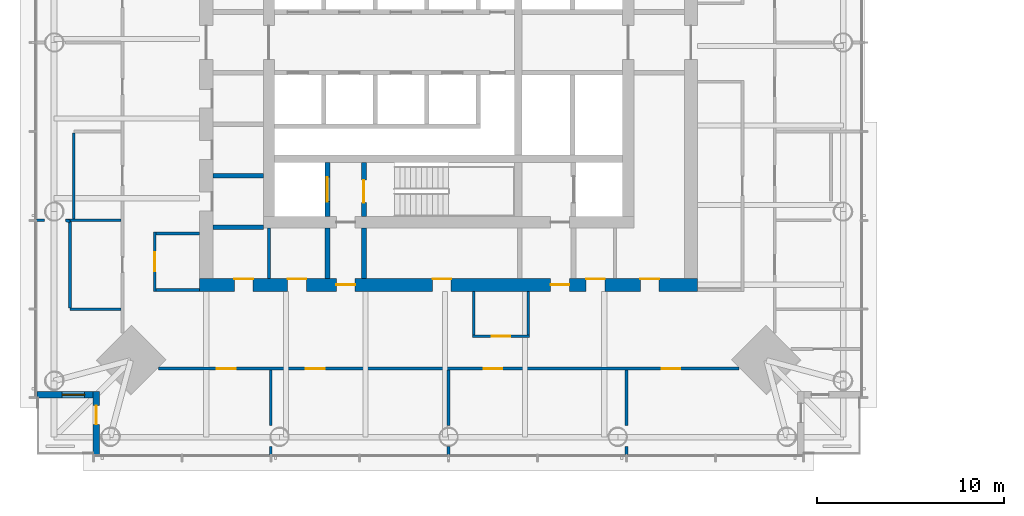
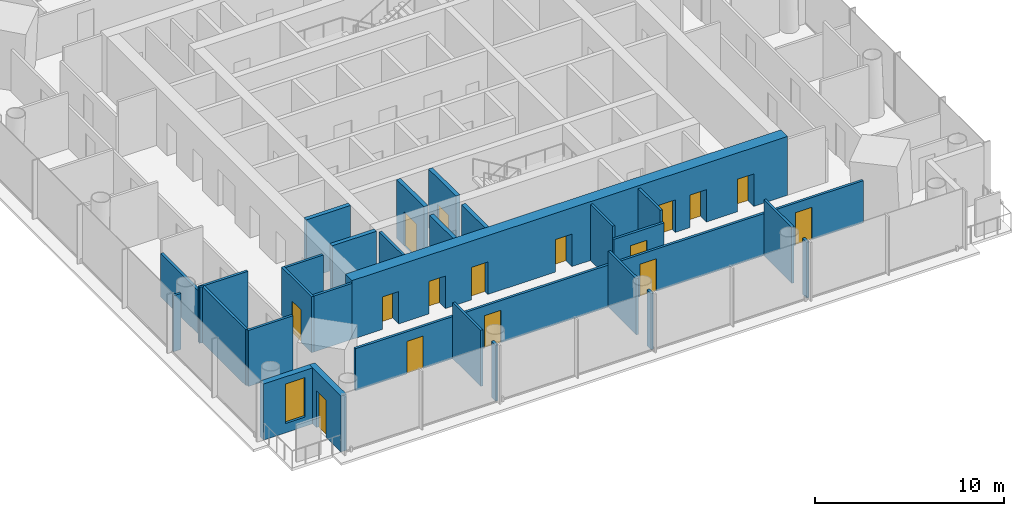
# One storey, part 8 of 27: 29 walls, 16 doors, 1 window, 17 openings.
"""IFC4 building model written with IfcOpenShell, lengths in metres."""

from ifc_helpers import new_model, si_unit, direction, frame, frame_2d, origin, place, context, subcontext, project, spatial, rectangle, extrude, material, layer, layer_set, type_object, element, fill, save


model = new_model("IFC4")

# Units and contexts
model_context = context("Model", 3, precision=1e-05, world=origin(), true_north=direction((0.0, 1.0)))
body_context = subcontext(model_context, "Body", "Model", "MODEL_VIEW")
ifc_project = project(units=[si_unit("LENGTHUNIT", "METRE"), si_unit("AREAUNIT", "SQUARE_METRE"), si_unit("VOLUMEUNIT", "CUBIC_METRE"), si_unit("PLANEANGLEUNIT", "RADIAN"), si_unit("MASSUNIT", "GRAM", prefix="KILO")], contexts=[model_context])

# Site, building, storey
site_placement = place(None, origin())
site = spatial("IfcSite", under=ifc_project, at=site_placement, CompositionType="ELEMENT")
building_placement = place(site_placement, origin())
building = spatial("IfcBuilding", under=site, at=building_placement, Name="Ostroluk Exchange", CompositionType="ELEMENT")
storey_placement = place(building_placement, frame((0.0, 0.0, 112.199951171875)))
storey = spatial("IfcBuildingStorey", under=building, at=storey_placement, Name="L28", CompositionType="ELEMENT", Elevation=112.199951171875)

# Walls
ifc_material_1 = material(Name="Concrete blockwork", Category="masonry")
ifc_layer_1 = layer(ifc_material_1, 0.14990234375)
ifc_layer_set_1 = layer_set([ifc_layer_1], Name="Blockwork plant room wall 150")
wall_type_1 = type_object("IfcWallType", Name="Blockwork plant room wall 150", PredefinedType="SOLIDWALL", material=ifc_layer_set_1)
wall_1_placement = place(storey_placement, frame((35.39990234375, 33.39990234375, 0.0), z_axis=(0.0, 0.0, 1.0), x_axis=(0.0, 1.0, 0.0)))
element("IfcWall", 1, at=wall_1_placement, inside=storey, type_object=wall_type_1, Name="Core room wall", PredefinedType="SOLIDWALL", context=body_context, shape_type="SweptSolid", body=[
    extrude(rectangle(XDim=2.7001953125, YDim=0.14990234375, at=frame_2d((1.35009765625, 0.0))), origin(), (0.0, 0.0, 1.0), 3.6201171875),
])
ifc_material_2 = material(Name="Concrete blockwork", Category="masonry")
ifc_layer_2 = layer(ifc_material_2, 0.25)
ifc_layer_set_2 = layer_set([ifc_layer_2], Name="Blockwork stair enclosure wall 250")
wall_type_2 = type_object("IfcWallType", Name="Blockwork stair enclosure wall 250", PredefinedType="SOLIDWALL", material=ifc_layer_set_2)
for number, where, z_axis, x_axis, name in (
    (2, (38.52490234375, 33.39990234375, 0.0), (0.0, 0.0, 1.0), (0.0, 1.0, 0.0), "Fire lobby enclosure wall"),
    (3, (40.47509765625, 33.39990234375, 0.0), (0.0, 0.0, 1.0), (0.0, 1.0, 0.0), "Fire lobby enclosure wall"),
):
    element("IfcWall", number, at=place(storey_placement, frame(where, z_axis=z_axis, x_axis=x_axis)), inside=storey, type_object=wall_type_2, Name=name, PredefinedType="SOLIDWALL", context=body_context, shape_type="SweptSolid", body=[
        extrude(rectangle(XDim=2.7001953125, YDim=0.25, at=frame_2d((1.35009765625, 0.0))), origin(), (0.0, 0.0, 1.0), 3.6201171875),
    ])

# Wall, opening, door
ifc_material_3 = material(Name="Concrete C40/50", Category="concrete")
ifc_layer_3 = layer(ifc_material_3, 0.25)
ifc_layer_set_3 = layer_set([ifc_layer_3], Name="Core shaft wall 250")
wall_type_3 = type_object("IfcWallType", Name="Core shaft wall 250", PredefinedType="SHEAR", material=ifc_layer_set_3)
wall_2_placement = place(storey_placement, frame((38.52490234375, 36.699951171875, 0.0), z_axis=(0.0, 0.0, 1.0), x_axis=(0.0, 1.0, 0.0)))
wall_2 = element("IfcWall", 4, at=wall_2_placement, inside=storey, type_object=wall_type_3, Name="Firefighting lift shaft wall", PredefinedType="SHEAR", context=body_context, shape_type="SweptSolid", body=[
    extrude(rectangle(XDim=2.900146484375, YDim=0.25, at=frame_2d((1.4501953125, 0.0))), origin(), (0.0, 0.0, 1.0), 3.800048828125),
])
opening_1_placement = place(wall_2_placement, frame((0.800048828125, 0.0, 0.0)))
opening_1 = element("IfcOpeningElement", 5, at=opening_1_placement, cuts=wall_2, Name="Opening LD2", PredefinedType="OPENING", context=body_context, shape_type="SweptSolid", body=[
    extrude(rectangle(XDim=1.300048828125, YDim=2.199951171875, at=frame_2d((0.64990234375, 1.10009765625))), frame((0.0, 0.135009765625, 0.0), z_axis=(0.0, -1.0, 0.0), x_axis=(1.0, 0.0, 0.0)), (0.0, 0.0, 1.0), 0.27001953125),
])
ifc_material_4 = material(Name="Stainless steel", Category="steel")
door_type_1 = type_object("IfcDoorType", Name="Lift landing door E 60 1300 x 2200", OperationType="DOUBLE_DOOR_SLIDING", PredefinedType="DOOR", material=ifc_material_4)
door_1_placement = place(opening_1_placement, origin())
door_1 = element("IfcDoor", 6, at=door_1_placement, inside=storey, type_object=door_type_1, Name="Lift FL1 landing door", OperationType="DOUBLE_DOOR_SLIDING", OverallHeight=2.199951171875, OverallWidth=1.300048828125, PredefinedType="DOOR", context=body_context, shape_type="SweptSolid", body=[
    extrude(rectangle(XDim=1.300048828125, YDim=2.199951171875, at=frame_2d((0.64990234375, 1.10009765625))), frame((0.0, 0.02490234375, 0.0), z_axis=(0.0, -1.0, 0.0), x_axis=(1.0, 0.0, 0.0)), (0.0, 0.0, 1.0), 0.050048828125),
])
fill(opening_1, door_1)

wall_3_placement = place(storey_placement, frame((40.47509765625, 36.699951171875, 0.0), z_axis=(0.0, 0.0, 1.0), x_axis=(0.0, 1.0, 0.0)))
wall_3 = element("IfcWall", 7, at=wall_3_placement, inside=storey, type_object=wall_type_3, Name="Stair shaft wall", PredefinedType="SHEAR", context=body_context, shape_type="SweptSolid", body=[
    extrude(rectangle(XDim=2.900146484375, YDim=0.25, at=frame_2d((1.4501953125, 0.0))), origin(), (0.0, 0.0, 1.0), 3.800048828125),
])
opening_2_placement = place(wall_3_placement, frame((0.75, 0.0, 0.0)))
opening_2 = element("IfcOpeningElement", 8, at=opening_2_placement, cuts=wall_3, Name="Opening FD60S", PredefinedType="OPENING", context=body_context, shape_type="SweptSolid", body=[
    extrude(rectangle(XDim=1.199951171875, YDim=2.10009765625, at=frame_2d((0.60009765625, 1.050048828125))), frame((0.0, 0.135009765625, 0.0), z_axis=(0.0, -1.0, 0.0), x_axis=(1.0, 0.0, 0.0)), (0.0, 0.0, 1.0), 0.27001953125),
])
ifc_material_5 = material(Name="Steel", Category="steel")
door_type_2 = type_object("IfcDoorType", Name="Stair door EI 60 1200 x 2100", OperationType="SINGLE_SWING_LEFT", PredefinedType="DOOR", material=ifc_material_5)
door_2_placement = place(opening_2_placement, origin())
door_2 = element("IfcDoor", 9, at=door_2_placement, inside=storey, type_object=door_type_2, Name="Stair T1-S1 door", OperationType="SINGLE_SWING_LEFT", OverallHeight=2.10009765625, OverallWidth=1.199951171875, PredefinedType="DOOR", context=body_context, shape_type="SweptSolid", body=[
    extrude(rectangle(XDim=1.199951171875, YDim=2.10009765625, at=frame_2d((0.60009765625, 1.050048828125))), frame((0.0, 0.02490234375, 0.0), z_axis=(0.0, -1.0, 0.0), x_axis=(1.0, 0.0, 0.0)), (0.0, 0.0, 1.0), 0.050048828125),
])
fill(opening_2, door_2)

# Walls
for number, where, z_axis, x_axis, name in (
    (10, (32.39990234375, 36.125, 0.0), (0.0, 0.0, 1.0), (1.0, 0.0, 0.0), "Lift shaft wall"),
    (11, (32.39990234375, 38.875, 0.0), (0.0, 0.0, 1.0), (1.0, 0.0, 0.0), "Lift shaft wall"),
):
    element("IfcWall", number, at=place(storey_placement, frame(where, z_axis=z_axis, x_axis=x_axis)), inside=storey, type_object=wall_type_3, Name=name, PredefinedType="SHEAR", context=body_context, shape_type="SweptSolid", body=[
        extrude(rectangle(XDim=2.7001953125, YDim=0.25, at=frame_2d((1.35009765625, 0.0))), origin(), (0.0, 0.0, 1.0), 3.800048828125),
    ])

# Wall, openings, doors
ifc_material_6 = material(Name="Concrete C50/60", Category="concrete")
ifc_layer_4 = layer(ifc_material_6, 0.699951171875)
ifc_layer_set_4 = layer_set([ifc_layer_4], Name="Core wall 700 C50/60")
wall_type_4 = type_object("IfcWallType", Name="Core wall 700 C50/60", PredefinedType="SHEAR", material=ifc_layer_set_4)
wall_4_placement = place(storey_placement, frame((31.699951171875, 33.050048828125, 0.0), z_axis=(0.0, 0.0, 1.0), x_axis=(1.0, 0.0, 0.0)))
wall_4 = element("IfcWall", 12, at=wall_4_placement, inside=storey, type_object=wall_type_4, Name="T1 core wall RS", PredefinedType="SHEAR", context=body_context, shape_type="SweptSolid", body=[
    extrude(rectangle(XDim=26.60009765625, YDim=0.699951171875, at=frame_2d((13.300048828125, 0.0))), origin(), (0.0, 0.0, 1.0), 3.800048828125),
])
opening_3_placement = place(wall_4_placement, frame((7.300048828125, 0.0, 0.0)))
opening_3 = element("IfcOpeningElement", 13, at=opening_3_placement, cuts=wall_4, Name="Opening FD60", PredefinedType="OPENING", context=body_context, shape_type="SweptSolid", body=[
    extrude(rectangle(XDim=1.0, YDim=2.10009765625, at=frame_2d((0.5, 1.050048828125))), frame((0.0, 0.35986328125, 0.0), z_axis=(0.0, -1.0, 0.0), x_axis=(1.0, 0.0, 0.0)), (0.0, 0.0, 1.0), 0.719970703125),
])
opening_4_placement = place(wall_4_placement, frame((18.75, 0.0, 0.0)))
opening_4 = element("IfcOpeningElement", 14, at=opening_4_placement, cuts=wall_4, Name="Opening FD60", PredefinedType="OPENING", context=body_context, shape_type="SweptSolid", body=[
    extrude(rectangle(XDim=1.0, YDim=2.10009765625, at=frame_2d((0.5, 1.050048828125))), frame((0.0, 0.35986328125, 0.0), z_axis=(0.0, -1.0, 0.0), x_axis=(1.0, 0.0, 0.0)), (0.0, 0.0, 1.0), 0.719970703125),
])
opening_5_placement = place(wall_4_placement, frame((1.85009765625, 0.0, 0.0)))
opening_5 = element("IfcOpeningElement", 15, at=opening_5_placement, cuts=wall_4, Name="Opening FD60", PredefinedType="OPENING", context=body_context, shape_type="SweptSolid", body=[
    extrude(rectangle(XDim=1.0, YDim=2.10009765625, at=frame_2d((0.5, 1.050048828125))), frame((0.0, 0.35986328125, 0.0), z_axis=(0.0, -1.0, 0.0), x_axis=(1.0, 0.0, 0.0)), (0.0, 0.0, 1.0), 0.719970703125),
])
opening_6_placement = place(wall_4_placement, frame((4.699951171875, 0.0, 0.0)))
opening_6 = element("IfcOpeningElement", 16, at=opening_6_placement, cuts=wall_4, Name="Opening FD60", PredefinedType="OPENING", context=body_context, shape_type="SweptSolid", body=[
    extrude(rectangle(XDim=1.0, YDim=2.10009765625, at=frame_2d((0.5, 1.050048828125))), frame((0.0, 0.35986328125, 0.0), z_axis=(0.0, -1.0, 0.0), x_axis=(1.0, 0.0, 0.0)), (0.0, 0.0, 1.0), 0.719970703125),
])
opening_7_placement = place(wall_4_placement, frame((12.43994140625, 0.0, 0.0)))
opening_7 = element("IfcOpeningElement", 17, at=opening_7_placement, cuts=wall_4, Name="Opening FD60", PredefinedType="OPENING", context=body_context, shape_type="SweptSolid", body=[
    extrude(rectangle(XDim=1.0, YDim=2.10009765625, at=frame_2d((0.5, 1.050048828125))), frame((0.0, 0.35986328125, 0.0), z_axis=(0.0, -1.0, 0.0), x_axis=(1.0, 0.0, 0.0)), (0.0, 0.0, 1.0), 0.719970703125),
])
opening_8_placement = place(wall_4_placement, frame((20.64404296875, 0.0, 0.0)))
opening_8 = element("IfcOpeningElement", 18, at=opening_8_placement, cuts=wall_4, Name="Opening FD60", PredefinedType="OPENING", context=body_context, shape_type="SweptSolid", body=[
    extrude(rectangle(XDim=1.0, YDim=2.10009765625, at=frame_2d((0.5, 1.050048828125))), frame((0.0, 0.35986328125, 0.0), z_axis=(0.0, -1.0, 0.0), x_axis=(1.0, 0.0, 0.0)), (0.0, 0.0, 1.0), 0.719970703125),
])
opening_9_placement = place(wall_4_placement, frame((23.5439453125, 0.0, 0.0)))
opening_9 = element("IfcOpeningElement", 19, at=opening_9_placement, cuts=wall_4, Name="Opening FD60", PredefinedType="OPENING", context=body_context, shape_type="SweptSolid", body=[
    extrude(rectangle(XDim=1.0, YDim=2.10009765625, at=frame_2d((0.5, 1.050048828125))), frame((0.0, 0.35986328125, 0.0), z_axis=(0.0, -1.0, 0.0), x_axis=(1.0, 0.0, 0.0)), (0.0, 0.0, 1.0), 0.719970703125),
])
ifc_material_7 = material(Name="Steel", Category="steel")
door_type_3 = type_object("IfcDoorType", Name="Fire door EI 60 1000 x 2100", OperationType="SINGLE_SWING_LEFT", PredefinedType="DOOR", material=ifc_material_7)
door_3_placement = place(opening_3_placement, origin())
door_3 = element("IfcDoor", 20, at=door_3_placement, inside=storey, type_object=door_type_3, Name="Firefighting lobby door", OperationType="SINGLE_SWING_LEFT", OverallHeight=2.10009765625, OverallWidth=1.0, PredefinedType="DOOR", context=body_context, shape_type="SweptSolid", body=[
    extrude(rectangle(XDim=1.0, YDim=2.10009765625, at=frame_2d((0.5, 1.050048828125))), frame((0.0, 0.02490234375, 0.0), z_axis=(0.0, -1.0, 0.0), x_axis=(1.0, 0.0, 0.0)), (0.0, 0.0, 1.0), 0.050048828125),
])
fill(opening_3, door_3)
door_4_placement = place(opening_4_placement, origin())
door_4 = element("IfcDoor", 21, at=door_4_placement, inside=storey, type_object=door_type_3, Name="Service lobby door", OperationType="SINGLE_SWING_RIGHT", OverallHeight=2.10009765625, OverallWidth=1.0, PredefinedType="DOOR", context=body_context, shape_type="SweptSolid", body=[
    extrude(rectangle(XDim=1.0, YDim=2.10009765625, at=frame_2d((0.5, 1.050048828125))), frame((0.0, 0.02490234375, 0.0), z_axis=(0.0, -1.0, 0.0), x_axis=(1.0, 0.0, 0.0)), (0.0, 0.0, 1.0), 0.050048828125),
])
fill(opening_4, door_4)
door_5_placement = place(opening_5_placement, origin())
door_5 = element("IfcDoor", 22, at=door_5_placement, inside=storey, type_object=door_type_3, Name="Archive door", OperationType="SINGLE_SWING_LEFT", OverallHeight=2.10009765625, OverallWidth=1.0, PredefinedType="DOOR", context=body_context, shape_type="SweptSolid", body=[
    extrude(rectangle(XDim=1.0, YDim=2.10009765625, at=frame_2d((0.5, 1.050048828125))), frame((0.0, 0.33984375, 0.0), z_axis=(0.0, -1.0, 0.0), x_axis=(1.0, 0.0, 0.0)), (0.0, 0.0, 1.0), 0.050048828125),
])
fill(opening_5, door_5)
door_6_placement = place(opening_6_placement, origin())
door_6 = element("IfcDoor", 23, at=door_6_placement, inside=storey, type_object=door_type_3, Name="Tenant IT room door", OperationType="SINGLE_SWING_LEFT", OverallHeight=2.10009765625, OverallWidth=1.0, PredefinedType="DOOR", context=body_context, shape_type="SweptSolid", body=[
    extrude(rectangle(XDim=1.0, YDim=2.10009765625, at=frame_2d((0.5, 1.050048828125))), frame((0.0, 0.33984375, 0.0), z_axis=(0.0, -1.0, 0.0), x_axis=(1.0, 0.0, 0.0)), (0.0, 0.0, 1.0), 0.050048828125),
])
fill(opening_6, door_6)
door_7_placement = place(opening_7_placement, origin())
door_7 = element("IfcDoor", 24, at=door_7_placement, inside=storey, type_object=door_type_3, Name="Tea point door", OperationType="SINGLE_SWING_LEFT", OverallHeight=2.10009765625, OverallWidth=1.0, PredefinedType="DOOR", context=body_context, shape_type="SweptSolid", body=[
    extrude(rectangle(XDim=1.0, YDim=2.10009765625, at=frame_2d((0.5, 1.050048828125))), frame((0.0, 0.33984375, 0.0), z_axis=(0.0, -1.0, 0.0), x_axis=(1.0, 0.0, 0.0)), (0.0, 0.0, 1.0), 0.050048828125),
])
fill(opening_7, door_7)
door_8_placement = place(opening_8_placement, origin())
door_8 = element("IfcDoor", 25, at=door_8_placement, inside=storey, type_object=door_type_3, Name="Comms room door", OperationType="SINGLE_SWING_RIGHT", OverallHeight=2.10009765625, OverallWidth=1.0, PredefinedType="DOOR", context=body_context, shape_type="SweptSolid", body=[
    extrude(rectangle(XDim=1.0, YDim=2.10009765625, at=frame_2d((0.5, 1.050048828125))), frame((0.0, 0.33984375, 0.0), z_axis=(0.0, -1.0, 0.0), x_axis=(1.0, 0.0, 0.0)), (0.0, 0.0, 1.0), 0.050048828125),
])
fill(opening_8, door_8)
door_9_placement = place(opening_9_placement, origin())
door_9 = element("IfcDoor", 26, at=door_9_placement, inside=storey, type_object=door_type_3, Name="First aid room door", OperationType="SINGLE_SWING_RIGHT", OverallHeight=2.10009765625, OverallWidth=1.0, PredefinedType="DOOR", context=body_context, shape_type="SweptSolid", body=[
    extrude(rectangle(XDim=1.0, YDim=2.10009765625, at=frame_2d((0.5, 1.050048828125))), frame((0.0, 0.33984375, 0.0), z_axis=(0.0, -1.0, 0.0), x_axis=(1.0, 0.0, 0.0)), (0.0, 0.0, 1.0), 0.050048828125),
])
fill(opening_9, door_9)

# Wall, opening, door
ifc_material_8 = material(Name="Limestone", Category="masonry")
ifc_layer_5 = layer(ifc_material_8, 0.35009765625)
ifc_layer_set_5 = layer_set([ifc_layer_5], Name="Limestone facade wall 350")
wall_type_5 = type_object("IfcWallType", Name="Limestone facade wall 350", PredefinedType="SOLIDWALL", material=ifc_layer_set_5)
wall_5_placement = place(storey_placement, frame((26.175048828125, 24.0, 0.0), z_axis=(0.0, 0.0, 1.0), x_axis=(0.0, 1.0, 0.0)))
wall_5 = element("IfcWall", 27, at=wall_5_placement, inside=storey, type_object=wall_type_5, Name="Office tower SW corner wall L28 a", PredefinedType="SOLIDWALL", context=body_context, shape_type="SweptSolid", body=[
    extrude(rectangle(XDim=3.35009765625, YDim=0.35009765625, at=frame_2d((1.675048828125, 0.0))), origin(), (0.0, 0.0, 1.0), 3.6201171875),
])
opening_10_placement = place(wall_5_placement, frame((1.60009765625, 0.0, 0.0)))
opening_10 = element("IfcOpeningElement", 28, at=opening_10_placement, cuts=wall_5, Name="Opening D-B1", PredefinedType="OPENING", context=body_context, shape_type="SweptSolid", body=[
    extrude(rectangle(XDim=1.0, YDim=2.39990234375, at=frame_2d((0.5, 1.199951171875))), frame((0.0, 0.18505859375, 0.0), z_axis=(0.0, -1.0, 0.0), x_axis=(1.0, 0.0, 0.0)), (0.0, 0.0, 1.0), 0.3701171875),
])
ifc_material_9 = material(Name="Bronze framed glazed door", Category="aluminium")
door_type_4 = type_object("IfcDoorType", Name="Balcony door 1000 x 2400", OperationType="SINGLE_SWING_LEFT", PredefinedType="DOOR", material=ifc_material_9)
door_10_placement = place(opening_10_placement, origin())
door_10 = element("IfcDoor", 29, at=door_10_placement, inside=storey, type_object=door_type_4, Name="Office tower SW balcony door L28", OperationType="SINGLE_SWING_RIGHT", OverallHeight=2.39990234375, OverallWidth=1.0, PredefinedType="DOOR", context=body_context, shape_type="SweptSolid", body=[
    extrude(rectangle(XDim=1.0, YDim=2.39990234375, at=frame_2d((0.5, 1.199951171875))), frame((0.0, 0.02490234375, 0.0), z_axis=(0.0, -1.0, 0.0), x_axis=(1.0, 0.0, 0.0)), (0.0, 0.0, 1.0), 0.050048828125),
])
fill(opening_10, door_10)

# Wall, opening, window
wall_6_placement = place(storey_placement, frame((26.0, 27.175048828125, 0.0), z_axis=(0.0, 0.0, 1.0), x_axis=(-1.0, 0.0, 0.0)))
wall_6 = element("IfcWall", 30, at=wall_6_placement, inside=storey, type_object=wall_type_5, Name="Office tower SW corner wall L28 b", PredefinedType="SOLIDWALL", context=body_context, shape_type="SweptSolid", body=[
    extrude(rectangle(XDim=3.0, YDim=0.35009765625, at=frame_2d((1.5, 0.0))), origin(), (0.0, 0.0, 1.0), 3.6201171875),
])
opening_11_placement = place(wall_6_placement, frame((0.449951171875, 0.0, 0.60009765625)))
opening_11 = element("IfcOpeningElement", 31, at=opening_11_placement, cuts=wall_6, Name="Opening WN-L1", PredefinedType="OPENING", context=body_context, shape_type="SweptSolid", body=[
    extrude(rectangle(XDim=1.199951171875, YDim=2.550048828125, at=frame_2d((0.60009765625, 1.27490234375))), frame((0.0, 0.18505859375, 0.0), z_axis=(0.0, -1.0, 0.0), x_axis=(1.0, 0.0, 0.0)), (0.0, 0.0, 1.0), 0.3701171875),
])
ifc_material_10 = material(Name="Laminated clear glass", Category="glass")
window_type = type_object("IfcWindowType", Name="Lancet window 1200 x 2550", PartitioningType="SINGLE_PANEL", PredefinedType="WINDOW", material=ifc_material_10)
window_placement = place(opening_11_placement, origin())
window = element("IfcWindow", 32, at=window_placement, inside=storey, type_object=window_type, Name="Office tower SW lancet window L28", OverallHeight=2.550048828125, OverallWidth=1.199951171875, PartitioningType="SINGLE_PANEL", PredefinedType="WINDOW", context=body_context, shape_type="SweptSolid", body=[
    extrude(rectangle(XDim=1.199951171875, YDim=2.550048828125, at=frame_2d((0.60009765625, 1.27490234375))), frame((0.0, 0.030029296875, 0.0), z_axis=(0.0, -1.0, 0.0), x_axis=(1.0, 0.0, 0.0)), (0.0, 0.0, 1.0), 0.06005859375),
])
fill(opening_11, window)

# Wall, opening, door
ifc_material_11 = material(Name="Gypsum plasterboard partition", Category="gypsum")
ifc_layer_6 = layer(ifc_material_11, 0.14990234375)
ifc_layer_set_6 = layer_set([ifc_layer_6], Name="Plasterboard partition 150")
wall_type_6 = type_object("IfcWallType", Name="Plasterboard partition 150", PredefinedType="PARTITIONING", material=ifc_layer_set_6)
wall_7_placement = place(storey_placement, frame((29.300048828125, 35.875, 0.0), z_axis=(0.0, 0.0, 1.0), x_axis=(0.0, -1.0, 0.0)))
wall_7 = element("IfcWall", 33, at=wall_7_placement, inside=storey, type_object=wall_type_6, Name="Partition", PredefinedType="PARTITIONING", context=body_context, shape_type="SweptSolid", body=[
    extrude(rectangle(XDim=3.175048828125, YDim=0.14990234375, at=frame_2d((1.58740234375, 0.0))), origin(), (0.0, 0.0, 1.0), 3.6201171875),
])
opening_12_placement = place(wall_7_placement, frame((1.08740234375, 0.0, 0.0)))
opening_12 = element("IfcOpeningElement", 34, at=opening_12_placement, cuts=wall_7, Name="Opening D-03", PredefinedType="OPENING", context=body_context, shape_type="SweptSolid", body=[
    extrude(rectangle(XDim=1.0, YDim=2.10009765625, at=frame_2d((0.5, 1.050048828125))), frame((0.0, 0.0849609375, 0.0), z_axis=(0.0, -1.0, 0.0), x_axis=(1.0, 0.0, 0.0)), (0.0, 0.0, 1.0), 0.169921875),
])
ifc_material_12 = material(Name="Timber", Category="wood")
door_type_5 = type_object("IfcDoorType", Name="Internal door 1000 x 2100", OperationType="SINGLE_SWING_LEFT", PredefinedType="DOOR", material=ifc_material_12)
door_11_placement = place(opening_12_placement, origin())
door_11 = element("IfcDoor", 35, at=door_11_placement, inside=storey, type_object=door_type_5, Name="Interview room door", OperationType="SINGLE_SWING_RIGHT", OverallHeight=2.10009765625, OverallWidth=1.0, PredefinedType="DOOR", context=body_context, shape_type="SweptSolid", body=[
    extrude(rectangle(XDim=1.0, YDim=2.10009765625, at=frame_2d((0.5, 1.050048828125))), frame((0.0, 0.02490234375, 0.0), z_axis=(0.0, -1.0, 0.0), x_axis=(1.0, 0.0, 0.0)), (0.0, 0.0, 1.0), 0.050048828125),
])
fill(opening_12, door_11)

# Walls
for number, where, z_axis, x_axis, name in (
    (36, (31.699951171875, 35.800048828125, 0.0), (0.0, 0.0, 1.0), (-1.0, 0.0, 0.0), "Partition"),
    (37, (31.699951171875, 32.77490234375, 0.0), (0.0, 0.0, 1.0), (-1.0, 0.0, 0.0), "Partition"),
):
    element("IfcWall", number, at=place(storey_placement, frame(where, z_axis=z_axis, x_axis=x_axis)), inside=storey, type_object=wall_type_6, Name=name, PredefinedType="PARTITIONING", context=body_context, shape_type="SweptSolid", body=[
        extrude(rectangle(XDim=2.324951171875, YDim=0.14990234375, at=frame_2d((1.16259765625, 0.0))), origin(), (0.0, 0.0, 1.0), 3.6201171875),
    ])

# Wall, opening, door
wall_8_placement = place(storey_placement, frame((46.264892578125, 30.300048828125, 0.0), z_axis=(0.0, 0.0, 1.0), x_axis=(1.0, 0.0, 0.0)))
wall_8 = element("IfcWall", 38, at=wall_8_placement, inside=storey, type_object=wall_type_6, Name="Partition", PredefinedType="PARTITIONING", context=body_context, shape_type="SweptSolid", body=[
    extrude(rectangle(XDim=3.06005859375, YDim=0.14990234375, at=frame_2d((1.530029296875, 0.0))), origin(), (0.0, 0.0, 1.0), 2.858154296875),
])
opening_13_placement = place(wall_8_placement, frame((1.030029296875, 0.0, 0.0)))
opening_13 = element("IfcOpeningElement", 39, at=opening_13_placement, cuts=wall_8, Name="Opening D-03", PredefinedType="OPENING", context=body_context, shape_type="SweptSolid", body=[
    extrude(rectangle(XDim=1.0, YDim=2.10009765625, at=frame_2d((0.5, 1.050048828125))), frame((0.0, 0.0849609375, 0.0), z_axis=(0.0, -1.0, 0.0), x_axis=(1.0, 0.0, 0.0)), (0.0, 0.0, 1.0), 0.169921875),
])
door_12_placement = place(opening_13_placement, origin())
door_12 = element("IfcDoor", 40, at=door_12_placement, inside=storey, type_object=door_type_5, Name="Meeting room door", OperationType="SINGLE_SWING_LEFT", OverallHeight=2.10009765625, OverallWidth=1.0, PredefinedType="DOOR", context=body_context, shape_type="SweptSolid", body=[
    extrude(rectangle(XDim=1.0, YDim=2.10009765625, at=frame_2d((0.5, 1.050048828125))), frame((0.0, 0.02490234375, 0.0), z_axis=(0.0, -1.0, 0.0), x_axis=(1.0, 0.0, 0.0)), (0.0, 0.0, 1.0), 0.050048828125),
])
fill(opening_13, door_12)

# Walls
for number, where, z_axis, x_axis, name in (
    (41, (46.340087890625, 32.699951171875, 0.0), (0.0, 0.0, 1.0), (0.0, -1.0, 0.0), "Partition"),
    (42, (49.25, 32.699951171875, 0.0), (0.0, 0.0, 1.0), (0.0, -1.0, 0.0), "Partition"),
):
    element("IfcWall", number, at=place(storey_placement, frame(where, z_axis=z_axis, x_axis=x_axis)), inside=storey, type_object=wall_type_6, Name=name, PredefinedType="PARTITIONING", context=body_context, shape_type="SweptSolid", body=[
        extrude(rectangle(XDim=2.324951171875, YDim=0.14990234375, at=frame_2d((1.16259765625, 0.0))), origin(), (0.0, 0.0, 1.0), 3.6201171875),
    ])
wall_9_placement = place(storey_placement, frame((27.5, 36.5, 0.0), z_axis=(0.0, 0.0, 1.0), x_axis=(-1.0, 0.0, 0.0)))
element("IfcWall", 43, at=wall_9_placement, inside=storey, type_object=wall_type_6, Name="Partition", PredefinedType="PARTITIONING", context=body_context, shape_type="SweptSolid", body=[
    extrude(rectangle(XDim=2.956298828125, YDim=0.14990234375, at=frame_2d((1.47802734375, 0.0))), origin(), (0.0, 0.0, 1.0), 3.6201171875),
])
wall_10_placement = place(storey_placement, frame((23.40625, 36.5, 0.0), z_axis=(0.0, 0.0, 1.0), x_axis=(-1.0, 0.0, 0.0)))
element("IfcWall", 44, at=wall_10_placement, inside=storey, type_object=wall_type_6, Name="Partition", PredefinedType="PARTITIONING", context=body_context, shape_type="SweptSolid", body=[
    extrude(rectangle(XDim=0.4462890625, YDim=0.14990234375, at=frame_2d((0.22314453125, 0.0))), origin(), (0.0, 0.0, 1.0), 3.6201171875),
])
wall_11_placement = place(storey_placement, frame((27.5, 31.75, 0.0), z_axis=(0.0, 0.0, 1.0), x_axis=(-1.0, 0.0, 0.0)))
element("IfcWall", 45, at=wall_11_placement, inside=storey, type_object=wall_type_6, Name="Partition", PredefinedType="PARTITIONING", context=body_context, shape_type="SweptSolid", body=[
    extrude(rectangle(XDim=2.72509765625, YDim=0.14990234375, at=frame_2d((1.362548828125, 0.0))), origin(), (0.0, 0.0, 1.0), 3.6201171875),
])

# Wall, openings, doors
wall_12_placement = place(storey_placement, frame((29.488525390625, 28.574951171875, 0.0), z_axis=(0.0, 0.0, 1.0), x_axis=(1.0, 0.0, 0.0)))
wall_12 = element("IfcWall", 46, at=wall_12_placement, inside=storey, type_object=wall_type_6, Name="Partition", PredefinedType="PARTITIONING", context=body_context, shape_type="SweptSolid", body=[
    extrude(rectangle(XDim=31.02294921875, YDim=0.14990234375, at=frame_2d((15.511474609375, 0.0))), origin(), (0.0, 0.0, 1.0), 2.719970703125),
])
opening_14_placement = place(wall_12_placement, frame((3.136474609375, 0.0, 0.0)))
opening_14 = element("IfcOpeningElement", 47, at=opening_14_placement, cuts=wall_12, Name="Opening D-03", PredefinedType="OPENING", context=body_context, shape_type="SweptSolid", body=[
    extrude(rectangle(XDim=1.0, YDim=2.10009765625, at=frame_2d((0.5, 1.050048828125))), frame((0.0, 0.0849609375, 0.0), z_axis=(0.0, -1.0, 0.0), x_axis=(1.0, 0.0, 0.0)), (0.0, 0.0, 1.0), 0.169921875),
])
opening_15_placement = place(wall_12_placement, frame((7.886474609375, 0.0, 0.0)))
opening_15 = element("IfcOpeningElement", 48, at=opening_15_placement, cuts=wall_12, Name="Opening D-03", PredefinedType="OPENING", context=body_context, shape_type="SweptSolid", body=[
    extrude(rectangle(XDim=1.0, YDim=2.10009765625, at=frame_2d((0.5, 1.050048828125))), frame((0.0, 0.0849609375, 0.0), z_axis=(0.0, -1.0, 0.0), x_axis=(1.0, 0.0, 0.0)), (0.0, 0.0, 1.0), 0.169921875),
])
opening_16_placement = place(wall_12_placement, frame((17.386474609375, 0.0, 0.0)))
opening_16 = element("IfcOpeningElement", 49, at=opening_16_placement, cuts=wall_12, Name="Opening D-03", PredefinedType="OPENING", context=body_context, shape_type="SweptSolid", body=[
    extrude(rectangle(XDim=1.0, YDim=2.10009765625, at=frame_2d((0.5, 1.050048828125))), frame((0.0, 0.0849609375, 0.0), z_axis=(0.0, -1.0, 0.0), x_axis=(1.0, 0.0, 0.0)), (0.0, 0.0, 1.0), 0.169921875),
])
opening_17_placement = place(wall_12_placement, frame((26.886474609375, 0.0, 0.0)))
opening_17 = element("IfcOpeningElement", 50, at=opening_17_placement, cuts=wall_12, Name="Opening D-03", PredefinedType="OPENING", context=body_context, shape_type="SweptSolid", body=[
    extrude(rectangle(XDim=1.0, YDim=2.10009765625, at=frame_2d((0.5, 1.050048828125))), frame((0.0, 0.0849609375, 0.0), z_axis=(0.0, -1.0, 0.0), x_axis=(1.0, 0.0, 0.0)), (0.0, 0.0, 1.0), 0.169921875),
])
door_13_placement = place(opening_14_placement, origin())
door_13 = element("IfcDoor", 51, at=door_13_placement, inside=storey, type_object=door_type_5, Name="Office suite door", OperationType="SINGLE_SWING_LEFT", OverallHeight=2.10009765625, OverallWidth=1.0, PredefinedType="DOOR", context=body_context, shape_type="SweptSolid", body=[
    extrude(rectangle(XDim=1.0, YDim=2.10009765625, at=frame_2d((0.5, 1.050048828125))), frame((0.0, 0.02490234375, 0.0), z_axis=(0.0, -1.0, 0.0), x_axis=(1.0, 0.0, 0.0)), (0.0, 0.0, 1.0), 0.050048828125),
])
fill(opening_14, door_13)
door_14_placement = place(opening_15_placement, origin())
door_14 = element("IfcDoor", 52, at=door_14_placement, inside=storey, type_object=door_type_5, Name="Office door", OperationType="SINGLE_SWING_LEFT", OverallHeight=2.10009765625, OverallWidth=1.0, PredefinedType="DOOR", context=body_context, shape_type="SweptSolid", body=[
    extrude(rectangle(XDim=1.0, YDim=2.10009765625, at=frame_2d((0.5, 1.050048828125))), frame((0.0, 0.02490234375, 0.0), z_axis=(0.0, -1.0, 0.0), x_axis=(1.0, 0.0, 0.0)), (0.0, 0.0, 1.0), 0.050048828125),
])
fill(opening_15, door_14)
door_15_placement = place(opening_16_placement, origin())
door_15 = element("IfcDoor", 53, at=door_15_placement, inside=storey, type_object=door_type_5, Name="Office door", OperationType="SINGLE_SWING_RIGHT", OverallHeight=2.10009765625, OverallWidth=1.0, PredefinedType="DOOR", context=body_context, shape_type="SweptSolid", body=[
    extrude(rectangle(XDim=1.0, YDim=2.10009765625, at=frame_2d((0.5, 1.050048828125))), frame((0.0, 0.02490234375, 0.0), z_axis=(0.0, -1.0, 0.0), x_axis=(1.0, 0.0, 0.0)), (0.0, 0.0, 1.0), 0.050048828125),
])
fill(opening_16, door_15)
door_16_placement = place(opening_17_placement, origin())
door_16 = element("IfcDoor", 54, at=door_16_placement, inside=storey, type_object=door_type_5, Name="Office door", OperationType="SINGLE_SWING_RIGHT", OverallHeight=2.10009765625, OverallWidth=1.0, PredefinedType="DOOR", context=body_context, shape_type="SweptSolid", body=[
    extrude(rectangle(XDim=1.0, YDim=2.10009765625, at=frame_2d((0.5, 1.050048828125))), frame((0.0, 0.02490234375, 0.0), z_axis=(0.0, -1.0, 0.0), x_axis=(1.0, 0.0, 0.0)), (0.0, 0.0, 1.0), 0.050048828125),
])
fill(opening_17, door_16)

# Walls
wall_13_placement = place(storey_placement, frame((35.5, 28.5, 0.0), z_axis=(0.0, 0.0, 1.0), x_axis=(0.0, -1.0, 0.0)))
element("IfcWall", 55, at=wall_13_placement, inside=storey, type_object=wall_type_6, Name="Partition", PredefinedType="PARTITIONING", context=body_context, shape_type="SweptSolid", body=[
    extrude(rectangle(XDim=2.956298828125, YDim=0.14990234375, at=frame_2d((1.47802734375, 0.0))), origin(), (0.0, 0.0, 1.0), 3.6201171875),
])
wall_14_placement = place(storey_placement, frame((35.5, 24.40625, 0.0), z_axis=(0.0, 0.0, 1.0), x_axis=(0.0, -1.0, 0.0)))
element("IfcWall", 56, at=wall_14_placement, inside=storey, type_object=wall_type_6, Name="Partition", PredefinedType="PARTITIONING", context=body_context, shape_type="SweptSolid", body=[
    extrude(rectangle(XDim=0.4462890625, YDim=0.14990234375, at=frame_2d((0.22314453125, 0.0))), origin(), (0.0, 0.0, 1.0), 3.6201171875),
])
wall_15_placement = place(storey_placement, frame((45.0, 28.5, 0.0), z_axis=(0.0, 0.0, 1.0), x_axis=(0.0, -1.0, 0.0)))
element("IfcWall", 57, at=wall_15_placement, inside=storey, type_object=wall_type_6, Name="Partition", PredefinedType="PARTITIONING", context=body_context, shape_type="SweptSolid", body=[
    extrude(rectangle(XDim=2.956298828125, YDim=0.14990234375, at=frame_2d((1.47802734375, 0.0))), origin(), (0.0, 0.0, 1.0), 3.6201171875),
])
wall_16_placement = place(storey_placement, frame((45.0, 24.40625, 0.0), z_axis=(0.0, 0.0, 1.0), x_axis=(0.0, -1.0, 0.0)))
element("IfcWall", 58, at=wall_16_placement, inside=storey, type_object=wall_type_6, Name="Partition", PredefinedType="PARTITIONING", context=body_context, shape_type="SweptSolid", body=[
    extrude(rectangle(XDim=0.4462890625, YDim=0.14990234375, at=frame_2d((0.22314453125, 0.0))), origin(), (0.0, 0.0, 1.0), 3.6201171875),
])
wall_17_placement = place(storey_placement, frame((54.5, 28.5, 0.0), z_axis=(0.0, 0.0, 1.0), x_axis=(0.0, -1.0, 0.0)))
element("IfcWall", 59, at=wall_17_placement, inside=storey, type_object=wall_type_6, Name="Partition", PredefinedType="PARTITIONING", context=body_context, shape_type="SweptSolid", body=[
    extrude(rectangle(XDim=2.956298828125, YDim=0.14990234375, at=frame_2d((1.47802734375, 0.0))), origin(), (0.0, 0.0, 1.0), 3.6201171875),
])
wall_18_placement = place(storey_placement, frame((54.5, 24.40625, 0.0), z_axis=(0.0, 0.0, 1.0), x_axis=(0.0, -1.0, 0.0)))
element("IfcWall", 60, at=wall_18_placement, inside=storey, type_object=wall_type_6, Name="Partition", PredefinedType="PARTITIONING", context=body_context, shape_type="SweptSolid", body=[
    extrude(rectangle(XDim=0.4462890625, YDim=0.14990234375, at=frame_2d((0.22314453125, 0.0))), origin(), (0.0, 0.0, 1.0), 3.6201171875),
])
ifc_material_13 = material(Name="Gypsum plasterboard partition, moisture resistant", Category="gypsum")
ifc_layer_7 = layer(ifc_material_13, 0.14990234375)
ifc_layer_set_7 = layer_set([ifc_layer_7], Name="Plasterboard toilet partition 150")
wall_type_7 = type_object("IfcWallType", Name="Plasterboard toilet partition 150", PredefinedType="PARTITIONING", material=ifc_layer_set_7)
wall_19_placement = place(storey_placement, frame((24.97509765625, 41.175048828125, 0.0), z_axis=(0.0, 0.0, 1.0), x_axis=(0.0, -1.0, 0.0)))
element("IfcWall", 61, at=wall_19_placement, inside=storey, type_object=wall_type_7, Name="Toilet partition", PredefinedType="PARTITIONING", context=body_context, shape_type="SweptSolid", body=[
    extrude(rectangle(XDim=4.60009765625, YDim=0.14990234375, at=frame_2d((2.300048828125, 0.0))), origin(), (0.0, 0.0, 1.0), 2.80615234375),
])
wall_20_placement = place(storey_placement, frame((24.77490234375, 36.425048828125, 0.0), z_axis=(0.0, 0.0, 1.0), x_axis=(0.0, -1.0, 0.0)))
element("IfcWall", 62, at=wall_20_placement, inside=storey, type_object=wall_type_7, Name="Toilet partition", PredefinedType="PARTITIONING", context=body_context, shape_type="SweptSolid", body=[
    extrude(rectangle(XDim=4.60009765625, YDim=0.14990234375, at=frame_2d((2.300048828125, 0.0))), origin(), (0.0, 0.0, 1.0), 3.6201171875),
])
wall_21_placement = place(storey_placement, frame((24.77490234375, 36.425048828125, 0.0), z_axis=(0.0, 0.0, 1.0), x_axis=(-0.938951069004, 0.344050708495, 0.0)))
element("IfcWall", 63, at=wall_21_placement, inside=storey, type_object=wall_type_7, Name="Toilet partition", PredefinedType="PARTITIONING", context=body_context, shape_type="SweptSolid", body=[
    extrude(rectangle(XDim=0.246337890625, YDim=0.14990234375, at=frame_2d((0.123046875, 0.0))), origin(), (0.0, 0.0, 1.0), 3.6201171875),
])

save(model, "model.ifc")
